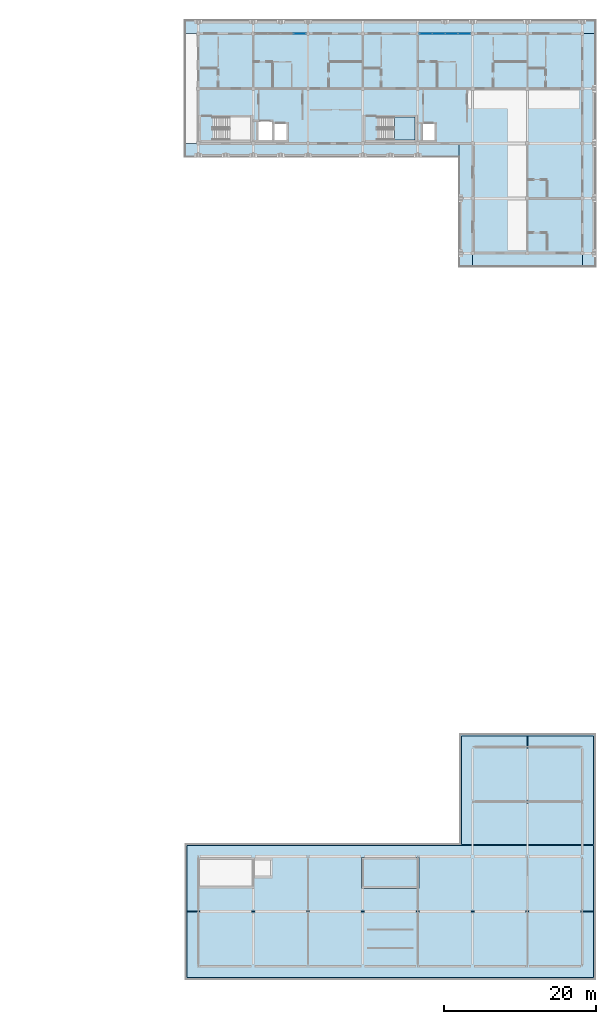
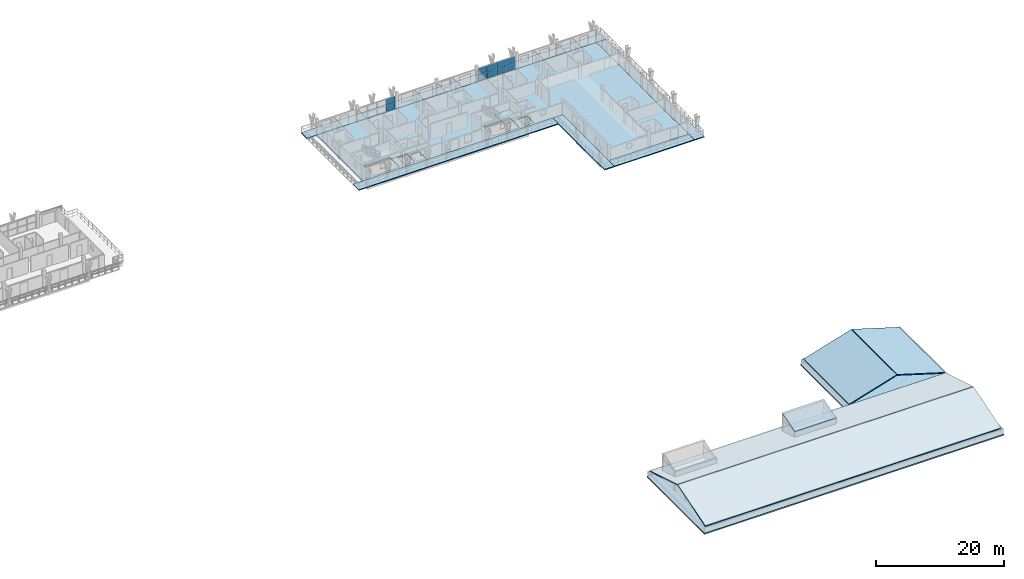
# One storey, part 24 of 45: 13 slabs, 10 plates, 3 elements without a shape of their own.
"""IFC4 building model written with IfcOpenShell, lengths in metres."""

from ifc_helpers import new_model, si_unit, direction, frame, origin, origin_2d, place, context, subcontext, project, spatial, polyline, rectangle, outline, extrude, material, layer, layer_set, type_object, element, aggregate, save


model = new_model("IFC4")

# Units and contexts
model_context = context("Model", 3, precision=1e-05, world=origin(), true_north=direction((0.0, 1.0)))
body_context = subcontext(model_context, "Body", "Model", "MODEL_VIEW")
ifc_project = project(units=[si_unit("LENGTHUNIT", "METRE"), si_unit("AREAUNIT", "SQUARE_METRE"), si_unit("VOLUMEUNIT", "CUBIC_METRE"), si_unit("PLANEANGLEUNIT", "RADIAN"), si_unit("MASSUNIT", "GRAM", prefix="KILO")], contexts=[model_context])

# Site, building, storey
site_placement = place(None, origin())
site = spatial("IfcSite", under=ifc_project, at=site_placement, CompositionType="ELEMENT")
building_placement = place(site_placement, origin())
building = spatial("IfcBuilding", under=site, at=building_placement, Name="Suanplinth Sawtooth Commons", CompositionType="ELEMENT")
storey_placement = place(building_placement, frame((0.0, 0.0, 38.0)))
storey = spatial("IfcBuildingStorey", under=building, at=storey_placement, Name="L11", CompositionType="ELEMENT", Elevation=38.0)

# Curtain wall, plates
ifc_material_1 = material(Name="Anodized aluminium and low-E glazing", Category="aluminium")
curtain_wall_type = type_object("IfcCurtainWallType", Name="CW-06", PredefinedType="USERDEFINED", material=ifc_material_1)
curtain_wall_1_placement = place(storey_placement, origin())
curtain_wall_1 = element("IfcCurtainWall", 1, at=curtain_wall_1_placement, inside=storey, type_object=curtain_wall_type, Name="Curtain Wall CW-L11-B-LOUNGE-20", ObjectType="CURTAIN WALL", PredefinedType="USERDEFINED")
ifc_material_2 = material(Name="Tempered low-E double glazing", Category="glass")
ifc_layer_1 = layer(ifc_material_2, 0.028076171875, Name="Vision low-E insulated glazing unit 28mm")
ifc_layer_set_1 = layer_set([ifc_layer_1], Name="Tempered low-E double glazing")
plate_type = type_object("IfcPlateType", Name="PL-05", PredefinedType="CURTAIN_PANEL", material=ifc_layer_set_1)
plate_1_placement = place(storey_placement, frame((150.114990234375, 122.39990234375, 0.06494140625), z_axis=(0.0, 0.0, 1.0), x_axis=(1.0, 0.0, 0.0)))
plate_1 = element("IfcPlate", 2, at=plate_1_placement, type_object=plate_type, Name="CW-06 panel 4.1", PredefinedType="CURTAIN_PANEL", context=body_context, shape_type="SweptSolid", body=[
    extrude(rectangle(XDim=1.590087890625, YDim=0.028076171875, at=origin_2d()), origin(), (0.0, 0.0, 1.0), 1.172607421875),
])
plate_2_placement = place(storey_placement, frame((150.114990234375, 122.39990234375, 1.30224609375), z_axis=(0.0, 0.0, 1.0), x_axis=(1.0, 0.0, 0.0)))
plate_2 = element("IfcPlate", 3, at=plate_2_placement, type_object=plate_type, Name="CW-06 panel 4.2", PredefinedType="CURTAIN_PANEL", context=body_context, shape_type="SweptSolid", body=[
    extrude(rectangle(XDim=1.590087890625, YDim=0.028076171875, at=origin_2d()), origin(), (0.0, 0.0, 1.0), 1.172607421875),
])
aggregate(curtain_wall_1, [plate_1, plate_2])

curtain_wall_2_placement = place(storey_placement, origin())
curtain_wall_2 = element("IfcCurtainWall", 4, at=curtain_wall_2_placement, inside=storey, type_object=curtain_wall_type, Name="Curtain Wall CW-L11-B-LOUNGE-23", ObjectType="CURTAIN WALL", PredefinedType="USERDEFINED")
plate_3_placement = place(storey_placement, frame((166.68505859375, 122.39990234375, 0.06494140625), z_axis=(0.0, 0.0, 1.0), x_axis=(1.0, 0.0, 0.0)))
plate_3 = element("IfcPlate", 5, at=plate_3_placement, type_object=plate_type, Name="CW-06 panel 1.1", PredefinedType="CURTAIN_PANEL", context=body_context, shape_type="SweptSolid", body=[
    extrude(rectangle(XDim=1.590087890625, YDim=0.028076171875, at=origin_2d()), origin(), (0.0, 0.0, 1.0), 1.172607421875),
])
plate_4_placement = place(storey_placement, frame((166.68505859375, 122.39990234375, 1.30224609375), z_axis=(0.0, 0.0, 1.0), x_axis=(1.0, 0.0, 0.0)))
plate_4 = element("IfcPlate", 6, at=plate_4_placement, type_object=plate_type, Name="CW-06 panel 1.2", PredefinedType="CURTAIN_PANEL", context=body_context, shape_type="SweptSolid", body=[
    extrude(rectangle(XDim=1.590087890625, YDim=0.028076171875, at=origin_2d()), origin(), (0.0, 0.0, 1.0), 1.172607421875),
])
plate_5_placement = place(storey_placement, frame((168.356201171875, 122.39990234375, 0.06494140625), z_axis=(0.0, 0.0, 1.0), x_axis=(1.0, 0.0, 0.0)))
plate_5 = element("IfcPlate", 7, at=plate_5_placement, type_object=plate_type, Name="CW-06 panel 2.1", PredefinedType="CURTAIN_PANEL", context=body_context, shape_type="SweptSolid", body=[
    extrude(rectangle(XDim=1.62255859375, YDim=0.028076171875, at=origin_2d()), origin(), (0.0, 0.0, 1.0), 1.172607421875),
])
plate_6_placement = place(storey_placement, frame((168.356201171875, 122.39990234375, 1.30224609375), z_axis=(0.0, 0.0, 1.0), x_axis=(1.0, 0.0, 0.0)))
plate_6 = element("IfcPlate", 8, at=plate_6_placement, type_object=plate_type, Name="CW-06 panel 2.2", PredefinedType="CURTAIN_PANEL", context=body_context, shape_type="SweptSolid", body=[
    extrude(rectangle(XDim=1.62255859375, YDim=0.028076171875, at=origin_2d()), origin(), (0.0, 0.0, 1.0), 1.172607421875),
])
plate_7_placement = place(storey_placement, frame((170.043701171875, 122.39990234375, 0.06494140625), z_axis=(0.0, 0.0, 1.0), x_axis=(1.0, 0.0, 0.0)))
plate_7 = element("IfcPlate", 9, at=plate_7_placement, type_object=plate_type, Name="CW-06 panel 3.1", PredefinedType="CURTAIN_PANEL", context=body_context, shape_type="SweptSolid", body=[
    extrude(rectangle(XDim=1.62255859375, YDim=0.028076171875, at=origin_2d()), origin(), (0.0, 0.0, 1.0), 1.172607421875),
])
plate_8_placement = place(storey_placement, frame((170.043701171875, 122.39990234375, 1.30224609375), z_axis=(0.0, 0.0, 1.0), x_axis=(1.0, 0.0, 0.0)))
plate_8 = element("IfcPlate", 10, at=plate_8_placement, type_object=plate_type, Name="CW-06 panel 3.2", PredefinedType="CURTAIN_PANEL", context=body_context, shape_type="SweptSolid", body=[
    extrude(rectangle(XDim=1.62255859375, YDim=0.028076171875, at=origin_2d()), origin(), (0.0, 0.0, 1.0), 1.172607421875),
])
plate_9_placement = place(storey_placement, frame((171.715087890625, 122.39990234375, 0.06494140625), z_axis=(0.0, 0.0, 1.0), x_axis=(1.0, 0.0, 0.0)))
plate_9 = element("IfcPlate", 11, at=plate_9_placement, type_object=plate_type, Name="CW-06 panel 4.1", PredefinedType="CURTAIN_PANEL", context=body_context, shape_type="SweptSolid", body=[
    extrude(rectangle(XDim=1.590087890625, YDim=0.028076171875, at=origin_2d()), origin(), (0.0, 0.0, 1.0), 1.172607421875),
])
plate_10_placement = place(storey_placement, frame((171.715087890625, 122.39990234375, 1.30224609375), z_axis=(0.0, 0.0, 1.0), x_axis=(1.0, 0.0, 0.0)))
plate_10 = element("IfcPlate", 12, at=plate_10_placement, type_object=plate_type, Name="CW-06 panel 4.2", PredefinedType="CURTAIN_PANEL", context=body_context, shape_type="SweptSolid", body=[
    extrude(rectangle(XDim=1.590087890625, YDim=0.028076171875, at=origin_2d()), origin(), (0.0, 0.0, 1.0), 1.172607421875),
])
aggregate(curtain_wall_2, [plate_3, plate_4, plate_5, plate_6, plate_7, plate_8, plate_9, plate_10])

# Slabs
ifc_material_3 = material(Name="Precast concrete C40/50", Category="concrete")
ifc_layer_2 = layer(ifc_material_3, 0.179931640625, Name="Wrap-around cantilevered precast balcony slab 180mm")
ifc_layer_set_2 = layer_set([ifc_layer_2], Name="Precast concrete C40/50")
slab_type_1 = type_object("IfcSlabType", Name="S-BL01", PredefinedType="FLOOR", material=ifc_layer_set_2)
slab_1_placement = place(storey_placement, frame((0.0, 0.0, -0.179931640625)))
element("IfcSlab", 13, at=slab_1_placement, inside=storey, type_object=slab_type_1, Name="L11 Block B Wrap-Around Balcony N", PredefinedType="FLOOR", context=body_context, shape_type="SweptSolid", body=[
    extrude(outline(polyline([(135.0, 122.39990234375), (135.0, 124.199951171875), (189.0, 124.199951171875), (189.0, 122.39990234375), (135.0, 122.39990234375)])), origin(), (0.0, 0.0, 1.0), 0.179931640625),
])
slab_2_placement = place(storey_placement, frame((0.0, 0.0, -0.179931640625)))
element("IfcSlab", 14, at=slab_2_placement, inside=storey, type_object=slab_type_1, Name="L11 Block B Wrap-Around Balcony E", PredefinedType="FLOOR", context=body_context, shape_type="SweptSolid", body=[
    extrude(outline(polyline([(189.0, 122.39990234375), (189.0, 91.800048828125), (187.199951171875, 91.800048828125), (187.199951171875, 122.39990234375), (189.0, 122.39990234375)])), origin(), (0.0, 0.0, 1.0), 0.179931640625),
])
slab_3_placement = place(storey_placement, frame((0.0, 0.0, -0.179931640625)))
element("IfcSlab", 15, at=slab_3_placement, inside=storey, type_object=slab_type_1, Name="L11 Block B Wrap-Around Balcony SEND", PredefinedType="FLOOR", context=body_context, shape_type="SweptSolid", body=[
    extrude(outline(polyline([(187.199951171875, 91.800048828125), (172.800048828125, 91.800048828125), (172.800048828125, 93.60009765625), (187.199951171875, 93.60009765625), (187.199951171875, 91.800048828125)])), origin(), (0.0, 0.0, 1.0), 0.179931640625),
])
ifc_layer_3 = layer(ifc_material_3, 0.175048828125, Name="Courtyard cantilevered precast balcony slab 175mm")
ifc_layer_set_3 = layer_set([ifc_layer_3], Name="Precast concrete C40/50")
slab_type_2 = type_object("IfcSlabType", Name="S-BL02", PredefinedType="FLOOR", material=ifc_layer_set_3)
slab_4_placement = place(storey_placement, frame((0.0, 0.0, -0.175048828125)))
element("IfcSlab", 16, at=slab_4_placement, inside=storey, type_object=slab_type_2, Name="L11 Block B Wrap-Around Balcony SC", PredefinedType="FLOOR", context=body_context, shape_type="SweptSolid", body=[
    extrude(outline(polyline([(171.0, 106.199951171875), (135.0, 106.199951171875), (135.0, 108.0), (171.0, 108.0), (171.0, 106.199951171875)])), origin(), (0.0, 0.0, 1.0), 0.175048828125),
])
slab_5_placement = place(storey_placement, frame((0.0, 0.0, -0.175048828125)))
element("IfcSlab", 17, at=slab_5_placement, inside=storey, type_object=slab_type_2, Name="L11 Block B Wrap-Around Balcony WC", PredefinedType="FLOOR", context=body_context, shape_type="SweptSolid", body=[
    extrude(outline(polyline([(172.800048828125, 91.800048828125), (171.0, 91.800048828125), (171.0, 108.0), (172.800048828125, 108.0), (172.800048828125, 91.800048828125)])), origin(), (0.0, 0.0, 1.0), 0.175048828125),
])
ifc_layer_4 = layer(ifc_material_3, 0.239990234375, Name="Precast hollow-core + topping floor slab 240mm")
ifc_layer_set_4 = layer_set([ifc_layer_4], Name="Precast concrete C40/50")
slab_type_3 = type_object("IfcSlabType", Name="S-FL02", PredefinedType="FLOOR", material=ifc_layer_set_4)
slab_6_placement = place(storey_placement, frame((0.0, 0.0, -0.239990234375)))
element("IfcSlab", 18, at=slab_6_placement, inside=storey, type_object=slab_type_3, Name="L11 Block B Structural Floor Plate", PredefinedType="FLOOR", context=body_context, shape_type="SweptSolid", body=[
    extrude(outline(polyline([(172.800048828125, 108.0), (136.800048828125, 108.0), (136.800048828125, 122.39990234375), (187.199951171875, 122.39990234375), (187.199951171875, 93.60009765625), (172.800048828125, 93.60009765625), (172.800048828125, 108.0)]), holes=[polyline([(138.889892578125, 108.449951171875), (143.64990234375, 108.449951171875), (143.64990234375, 111.449951171875), (138.889892578125, 111.449951171875), (138.889892578125, 108.449951171875)]), polyline([(144.64990234375, 108.449951171875), (146.449951171875, 108.449951171875), (146.449951171875, 110.85009765625), (144.64990234375, 110.85009765625), (144.64990234375, 108.449951171875)]), polyline([(146.800048828125, 108.449951171875), (148.39990234375, 108.449951171875), (148.39990234375, 110.550048828125), (146.800048828125, 110.550048828125), (146.800048828125, 108.449951171875)]), polyline([(160.489990234375, 108.449951171875), (165.25, 108.449951171875), (165.25, 111.449951171875), (160.489990234375, 111.449951171875), (160.489990234375, 108.449951171875)]), polyline([(166.25, 108.449951171875), (167.85009765625, 108.449951171875), (167.85009765625, 110.550048828125), (166.25, 110.550048828125), (166.25, 108.449951171875)])]), origin(), (0.0, 0.0, 1.0), 0.239990234375),
])

# Stair, slab
ifc_material_4 = material(Name="Concrete C40/50", Category="concrete")
stair_type = type_object("IfcStairType", Name="ST-07", PredefinedType="USERDEFINED", material=ifc_material_4)
stair_placement = place(storey_placement, origin())
stair = element("IfcStair", 19, at=stair_placement, inside=storey, type_object=stair_type, Name="L11 Exit Stair ST-E2", ObjectType="TWO_RETURN_STAIR", PredefinedType="USERDEFINED")
ifc_layer_5 = layer(ifc_material_4, 0.199951171875, Name="Reinforced concrete stair and ramp landing slab 200mm")
ifc_layer_set_5 = layer_set([ifc_layer_5], Name="Concrete C40/50")
slab_type_4 = type_object("IfcSlabType", Name="S-LD01", PredefinedType="LANDING", material=ifc_layer_set_5)
slab_7_placement = place(storey_placement, frame((0.0, 0.0, 1.39990234375)))
slab_7 = element("IfcSlab", 20, at=slab_7_placement, type_object=slab_type_4, Name="ST-07 landing 1", PredefinedType="LANDING", context=body_context, shape_type="SweptSolid", body=[
    extrude(outline(polyline([(162.530029296875, 108.449951171875), (165.25, 108.449951171875), (165.25, 111.449951171875), (162.530029296875, 111.449951171875), (162.530029296875, 108.449951171875)])), origin(), (0.0, 0.0, 1.0), 0.2001953125),
])
aggregate(stair, [slab_7])

# Slabs
ifc_layer_6 = layer(ifc_material_3, 0.239990234375, Name="Residential block insulated roof slab 240mm")
ifc_layer_set_6 = layer_set([ifc_layer_6], Name="Precast concrete C40/50")
slab_type_5 = type_object("IfcSlabType", Name="S-RF01", PredefinedType="ROOF", material=ifc_layer_set_6)
slab_8_placement = place(storey_placement, frame((0.0, 0.0, -0.239990234375)))
element("IfcSlab", 21, at=slab_8_placement, inside=storey, type_object=slab_type_5, Name="L11 Block C Tropical Overhanging Roof Slab", PredefinedType="ROOF", context=body_context, shape_type="SweptSolid", body=[
    extrude(outline(polyline([(189.0, -1.800048828125), (135.0, -1.800048828125), (135.0, 16.199951171875), (171.0, 16.199951171875), (171.0, 30.60009765625), (189.0, 30.60009765625), (189.0, -1.800048828125)])), origin(), (0.0, 0.0, 1.0), 0.239990234375),
])
ifc_material_5 = material(Name="Concrete C35/45", Category="concrete")
ifc_layer_7 = layer(ifc_material_5, 0.159912109375, Name="Market gable & breezeway canopy roof slab 160mm")
ifc_layer_set_7 = layer_set([ifc_layer_7], Name="Concrete C35/45")
slab_type_6 = type_object("IfcSlabType", Name="S-RF03", PredefinedType="ROOF", material=ifc_layer_set_7)
slab_9_placement = place(storey_placement, frame((135.35009765625, -1.449951171875, 1.090087890625), z_axis=(0.0, -0.290709251119, 0.956811439791), x_axis=(1.0, 0.0, 0.0)))
element("IfcSlab", 22, at=slab_9_placement, inside=storey, type_object=slab_type_6, Name="L11 Block C Tropical Crown South Slope", PredefinedType="ROOF", context=body_context, shape_type="SweptSolid", body=[
    extrude(outline(polyline([(0.0, 0.0), (53.2998046875, 0.0), (53.2998046875, 8.977572166027468), (0.0, 8.977572166027468), (0.0, 0.0)])), origin(), (0.0, 0.0, -1.0), 0.159912109375),
])
slab_10_placement = place(storey_placement, frame((135.35009765625, 15.85009765625, 1.090087890625), z_axis=(0.0, 0.290701687048, 0.956813737959), x_axis=(1.0, 0.0, 0.0)))
element("IfcSlab", 23, at=slab_10_placement, inside=storey, type_object=slab_type_6, Name="L11 Block C Tropical Crown North Slope", PredefinedType="ROOF", context=body_context, shape_type="SweptSolid", body=[
    extrude(outline(polyline([(0.0, 0.0), (53.2998046875, 0.0), (53.2998046875, -8.977805762850926), (0.0, -8.977805762850926), (0.0, 0.0)])), origin(), (0.0, 0.0, -1.0), 0.159912109375),
])
slab_11_placement = place(storey_placement, frame((171.35009765625, 16.0, 1.090087890625), z_axis=(-0.290709251119, 0.0, 0.956811439791), x_axis=(0.0, 1.0, 0.0)))
element("IfcSlab", 24, at=slab_11_placement, inside=storey, type_object=slab_type_6, Name="L11 Block C Return Wing Crown West Slope", PredefinedType="ROOF", context=body_context, shape_type="SweptSolid", body=[
    extrude(outline(polyline([(0.0, 0.0), (14.25, 0.0), (14.25, -8.977572166027468), (0.0, -8.977572166027468), (0.0, 0.0)])), origin(), (0.0, 0.0, -1.0), 0.159912109375),
])
slab_12_placement = place(storey_placement, frame((188.64990234375, 16.0, 1.090087890625), z_axis=(0.290709251119, 0.0, 0.956811439791), x_axis=(0.0, 1.0, 0.0)))
element("IfcSlab", 25, at=slab_12_placement, inside=storey, type_object=slab_type_6, Name="L11 Block C Return Wing Crown East Slope", PredefinedType="ROOF", context=body_context, shape_type="SweptSolid", body=[
    extrude(outline(polyline([(0.0, 0.0), (14.25, 0.0), (14.25, 8.977572166027468), (0.0, 8.977572166027468), (0.0, 0.0)])), origin(), (0.0, 0.0, -1.0), 0.159912109375),
])
slab_13_placement = place(storey_placement, frame((158.235107421875, 10.235107421875, 3.97998046875), z_axis=(0.0, -0.267806429236, 0.963472737788), x_axis=(1.0, 0.0, 0.0)))
element("IfcSlab", 26, at=slab_13_placement, inside=storey, type_object=slab_type_6, Name="Stair ST-S2 Roof Headhouse Roof", PredefinedType="ROOF", context=body_context, shape_type="SweptSolid", body=[
    extrude(outline(polyline([(0.0, 0.0), (7.52978515625, 0.0), (7.52978515625, 4.182562721498119), (0.0, 4.182562721498119), (0.0, 0.0)])), origin(), (0.0, 0.0, -1.0), 0.159912109375),
])

save(model, "model.ifc")
